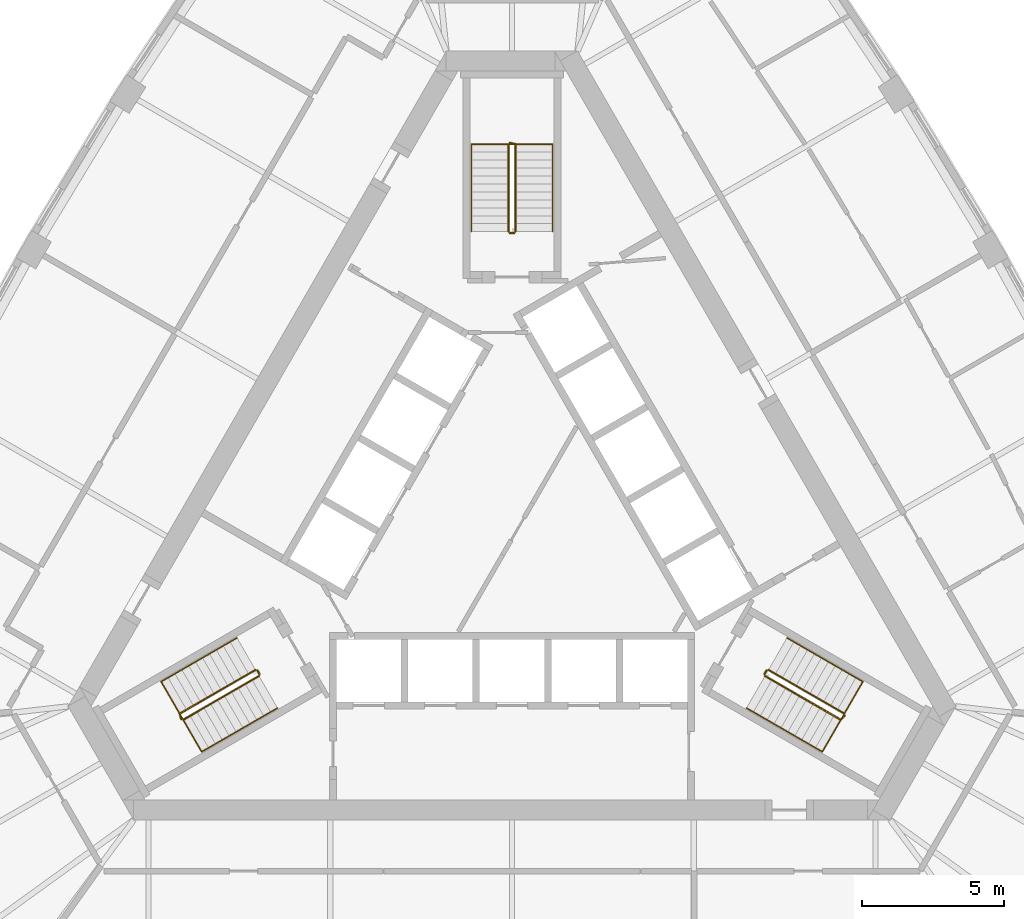
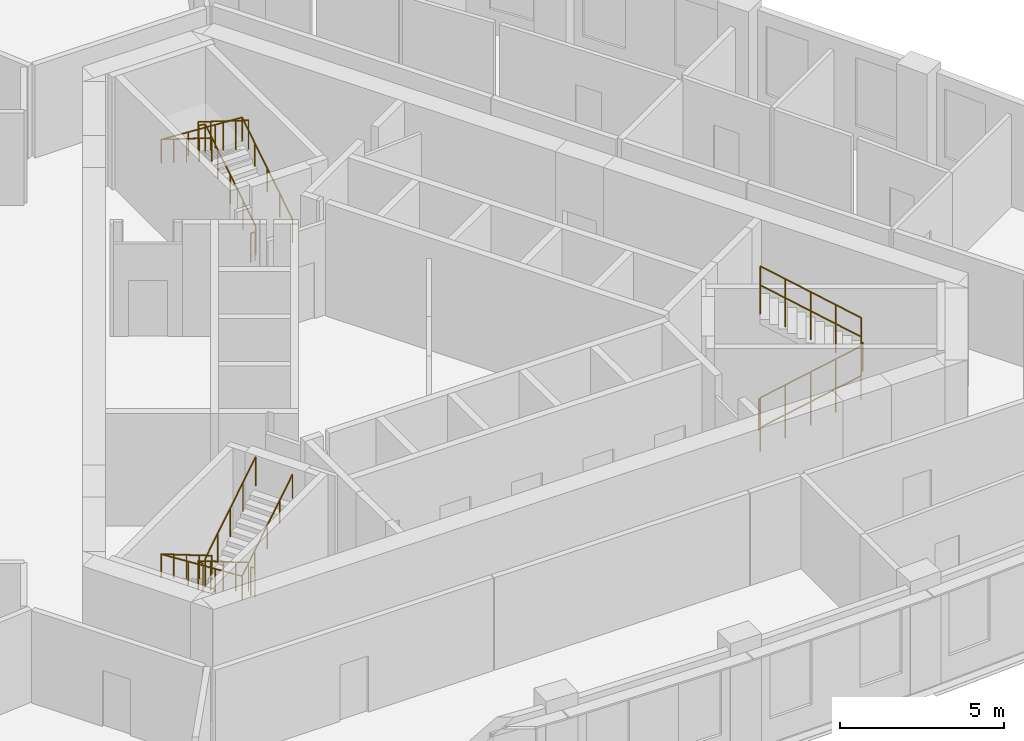
# One storey, part 10 of 10: 12 railings.
"""IFC4 building model written with IfcOpenShell, lengths in metres."""

from ifc_helpers import new_model, si_unit, direction, frame, origin, origin_2d, place, context, subcontext, project, spatial, circle, extrude, material, type_object, element, save


model = new_model("IFC4")

# Units and contexts
model_context = context("Model", 3, precision=1e-05, world=origin(), true_north=direction((0.0, 1.0)))
body_context = subcontext(model_context, "Body", "Model", "MODEL_VIEW")
ifc_project = project(units=[si_unit("LENGTHUNIT", "METRE"), si_unit("AREAUNIT", "SQUARE_METRE"), si_unit("VOLUMEUNIT", "CUBIC_METRE"), si_unit("PLANEANGLEUNIT", "RADIAN"), si_unit("MASSUNIT", "GRAM", prefix="KILO")], contexts=[model_context])

# Site, building, storey
site_placement = place(None, origin())
site = spatial("IfcSite", under=ifc_project, at=site_placement, CompositionType="ELEMENT")
building_placement = place(site_placement, origin())
building = spatial("IfcBuilding", under=site, at=building_placement, Name="Mestral Congress Tower", CompositionType="ELEMENT")
storey_placement = place(building_placement, frame((0.0, 0.0, 231.0)))
storey = spatial("IfcBuildingStorey", under=building, at=storey_placement, Name="L54", CompositionType="ELEMENT", Elevation=231.0)

# Railings
ifc_material_1 = material(Name="Steel balustrade", Category="steel")
railing_type_1 = type_object("IfcRailingType", Name="Stair guard 1100", PredefinedType="GUARDRAIL", material=ifc_material_1)
railing_1_placement = place(storey_placement, frame((8.90087890625, -5.283203125, 0.175048828125)))
element("IfcRailing", 1, at=railing_1_placement, inside=storey, type_object=railing_type_1, Name="L54 ST1 stair guard 1", PredefinedType="GUARDRAIL", context=body_context, shape_type="SweptSolid", body=[
    extrude(circle(Radius=0.02392578125, at=origin_2d()), frame((0.0, 0.0, 1.076171875), z_axis=(0.734364028329, -0.424015404183, 0.530019255228), x_axis=(0.500026652407, 0.866010015463, 0.0)), (0.0, 0.0, 1.0), 3.632080078125),
    extrude(circle(Radius=0.02392578125, at=origin_2d()), frame((2.667236328125, -1.5400390625, 3.0009765625), z_axis=(0.695164929852, 0.718850276695, 0.0), x_axis=(-0.718850276695, 0.695164929852, 0.0)), (0.0, 0.0, 1.0), 0.2060546875),
    extrude(circle(Radius=0.02099609375, at=origin_2d()), origin(), (0.0, 0.0, 1.0), 1.052001953125),
    extrude(circle(Radius=0.02099609375, at=origin_2d()), frame((0.666748046875, -0.385009765625, 0.481201171875)), (0.0, 0.0, 1.0), 1.052001953125),
    extrude(circle(Radius=0.02099609375, at=origin_2d()), frame((1.33349609375, -0.77001953125, 0.96240234375)), (0.0, 0.0, 1.0), 1.052001953125),
    extrude(circle(Radius=0.02099609375, at=origin_2d()), frame((2.00048828125, -1.155029296875, 1.44384765625)), (0.0, 0.0, 1.0), 1.052001953125),
    extrude(circle(Radius=0.02099609375, at=origin_2d()), frame((2.667236328125, -1.5400390625, 1.925048828125)), (0.0, 0.0, 1.0), 1.052001953125),
    extrude(circle(Radius=0.02099609375, at=origin_2d()), frame((2.810546875, -1.391845703125, 1.925048828125)), (0.0, 0.0, 1.0), 1.052001953125),
])
railing_2_placement = place(storey_placement, frame((11.693115234375, -6.606689453125, 2.27490234375)))
element("IfcRailing", 2, at=railing_2_placement, inside=storey, type_object=railing_type_1, Name="L54 ST1 stair guard 2", PredefinedType="GUARDRAIL", context=body_context, shape_type="SweptSolid", body=[
    extrude(circle(Radius=0.02392578125, at=origin_2d()), frame((0.0, 0.0, 1.076171875), z_axis=(-0.734364028329, 0.424015404183, 0.530019255228), x_axis=(-0.500026652407, -0.866010015463, 0.0)), (0.0, 0.0, 1.0), 3.632080078125),
    extrude(circle(Radius=0.02099609375, at=origin_2d()), origin(), (0.0, 0.0, 1.0), 1.052001953125),
    extrude(circle(Radius=0.02099609375, at=origin_2d()), frame((-0.666748046875, 0.385009765625, 0.481201171875)), (0.0, 0.0, 1.0), 1.052001953125),
    extrude(circle(Radius=0.02099609375, at=origin_2d()), frame((-1.33349609375, 0.77001953125, 0.96240234375)), (0.0, 0.0, 1.0), 1.052001953125),
    extrude(circle(Radius=0.02099609375, at=origin_2d()), frame((-2.00048828125, 1.155029296875, 1.44384765625)), (0.0, 0.0, 1.0), 1.052001953125),
    extrude(circle(Radius=0.02099609375, at=origin_2d()), frame((-2.667236328125, 1.5400390625, 1.925048828125)), (0.0, 0.0, 1.0), 1.052001953125),
])
railing_3_placement = place(storey_placement, frame((8.882568359375, -5.21484375, 0.0)))
element("IfcRailing", 3, at=railing_3_placement, inside=storey, type_object=railing_type_1, Name="L54 ST1 stair guard 3", PredefinedType="GUARDRAIL", context=body_context, shape_type="SweptSolid", body=[
    extrude(circle(Radius=0.02392578125, at=origin_2d()), frame((0.0, 0.0, 1.076171875), z_axis=(0.499816412211, 0.866131372301, 0.0), x_axis=(-0.866131372301, 0.499816412211, 0.0)), (0.0, 0.0, 1.0), 0.14990234375),
    extrude(circle(Radius=0.02099609375, at=origin_2d()), origin(), (0.0, 0.0, 1.0), 1.052001953125),
    extrude(circle(Radius=0.02099609375, at=origin_2d()), frame((0.074951171875, 0.1298828125, 0.0)), (0.0, 0.0, 1.0), 1.052001953125),
])
railing_4_placement = place(storey_placement, frame((0.125, 10.35009765625, 0.175048828125)))
element("IfcRailing", 4, at=railing_4_placement, inside=storey, type_object=railing_type_1, Name="L54 ST2 stair guard 1", PredefinedType="GUARDRAIL", context=body_context, shape_type="SweptSolid", body=[
    extrude(circle(Radius=0.02392578125, at=origin_2d()), frame((0.0, 0.0, 1.076171875), z_axis=(0.0, 0.847979421464, 0.530029150871), x_axis=(-1.0, 0.0, 0.0)), (0.0, 0.0, 1.0), 3.632080078125),
    extrude(circle(Radius=0.02392578125, at=origin_2d()), frame((0.0, 3.079833984375, 3.0009765625), z_axis=(-0.970072785993, 0.242814311512, 0.0), x_axis=(-0.242814311512, -0.970072785993, 0.0)), (0.0, 0.0, 1.0), 0.2060546875),
    extrude(circle(Radius=0.02099609375, at=origin_2d()), origin(), (0.0, 0.0, 1.0), 1.052001953125),
    extrude(circle(Radius=0.02099609375, at=origin_2d()), frame((0.0, 0.77001953125, 0.481201171875)), (0.0, 0.0, 1.0), 1.052001953125),
    extrude(circle(Radius=0.02099609375, at=origin_2d()), frame((0.0, 1.5400390625, 0.96240234375)), (0.0, 0.0, 1.0), 1.052001953125),
    extrude(circle(Radius=0.02099609375, at=origin_2d()), frame((0.0, 2.309814453125, 1.44384765625)), (0.0, 0.0, 1.0), 1.052001953125),
    extrude(circle(Radius=0.02099609375, at=origin_2d()), frame((0.0, 3.079833984375, 1.925048828125)), (0.0, 0.0, 1.0), 1.052001953125),
    extrude(circle(Radius=0.02099609375, at=origin_2d()), frame((-0.199951171875, 3.1298828125, 1.925048828125)), (0.0, 0.0, 1.0), 1.052001953125),
])
railing_5_placement = place(storey_placement, frame((-0.125, 13.429931640625, 2.27490234375)))
element("IfcRailing", 5, at=railing_5_placement, inside=storey, type_object=railing_type_1, Name="L54 ST2 stair guard 2", PredefinedType="GUARDRAIL", context=body_context, shape_type="SweptSolid", body=[
    extrude(circle(Radius=0.02392578125, at=origin_2d()), frame((0.0, 0.0, 1.076171875), z_axis=(0.0, -0.847979421464, 0.530029150871), x_axis=(1.0, 0.0, 0.0)), (0.0, 0.0, 1.0), 3.632080078125),
    extrude(circle(Radius=0.02099609375, at=origin_2d()), origin(), (0.0, 0.0, 1.0), 1.052001953125),
    extrude(circle(Radius=0.02099609375, at=origin_2d()), frame((0.0, -0.77001953125, 0.481201171875)), (0.0, 0.0, 1.0), 1.052001953125),
    extrude(circle(Radius=0.02099609375, at=origin_2d()), frame((0.0, -1.5400390625, 0.96240234375)), (0.0, 0.0, 1.0), 1.052001953125),
    extrude(circle(Radius=0.02099609375, at=origin_2d()), frame((0.0, -2.309814453125, 1.44384765625)), (0.0, 0.0, 1.0), 1.052001953125),
    extrude(circle(Radius=0.02099609375, at=origin_2d()), frame((0.0, -3.079833984375, 1.925048828125)), (0.0, 0.0, 1.0), 1.052001953125),
])
railing_6_placement = place(storey_placement, frame((0.074951171875, 10.300048828125, 0.0)))
element("IfcRailing", 6, at=railing_6_placement, inside=storey, type_object=railing_type_1, Name="L54 ST2 stair guard 3", PredefinedType="GUARDRAIL", context=body_context, shape_type="SweptSolid", body=[
    extrude(circle(Radius=0.02392578125, at=origin_2d()), frame((0.0, 0.0, 1.076171875), z_axis=(-1.0, 0.0, 0.0), x_axis=(0.0, -1.0, 0.0)), (0.0, 0.0, 1.0), 0.14990234375),
    extrude(circle(Radius=0.02099609375, at=origin_2d()), origin(), (0.0, 0.0, 1.0), 1.052001953125),
    extrude(circle(Radius=0.02099609375, at=origin_2d()), frame((-0.14990234375, 0.0, 0.0)), (0.0, 0.0, 1.0), 1.052001953125),
])
railing_7_placement = place(storey_placement, frame((-9.02587890625, -5.066650390625, 0.175048828125)))
element("IfcRailing", 7, at=railing_7_placement, inside=storey, type_object=railing_type_1, Name="L54 ST3 stair guard 1", PredefinedType="GUARDRAIL", context=body_context, shape_type="SweptSolid", body=[
    extrude(circle(Radius=0.02392578125, at=origin_2d()), frame((0.0, 0.0, 1.076171875), z_axis=(-0.734364028329, -0.424015404183, 0.530019255228), x_axis=(0.500026652407, -0.866010015463, 0.0)), (0.0, 0.0, 1.0), 3.632080078125),
    extrude(circle(Radius=0.02392578125, at=origin_2d()), frame((-2.667236328125, -1.5400390625, 3.0009765625), z_axis=(0.274721127897, -0.961523947641, 0.0), x_axis=(0.961523947641, 0.274721127897, 0.0)), (0.0, 0.0, 1.0), 0.2060546875),
    extrude(circle(Radius=0.02099609375, at=origin_2d()), origin(), (0.0, 0.0, 1.0), 1.052001953125),
    extrude(circle(Radius=0.02099609375, at=origin_2d()), frame((-0.666748046875, -0.385009765625, 0.481201171875)), (0.0, 0.0, 1.0), 1.052001953125),
    extrude(circle(Radius=0.02099609375, at=origin_2d()), frame((-1.33349609375, -0.77001953125, 0.96240234375)), (0.0, 0.0, 1.0), 1.052001953125),
    extrude(circle(Radius=0.02099609375, at=origin_2d()), frame((-2.00048828125, -1.155029296875, 1.44384765625)), (0.0, 0.0, 1.0), 1.052001953125),
    extrude(circle(Radius=0.02099609375, at=origin_2d()), frame((-2.667236328125, -1.5400390625, 1.925048828125)), (0.0, 0.0, 1.0), 1.052001953125),
    extrude(circle(Radius=0.02099609375, at=origin_2d()), frame((-2.610595703125, -1.73828125, 1.925048828125)), (0.0, 0.0, 1.0), 1.052001953125),
])
railing_8_placement = place(storey_placement, frame((-11.568115234375, -6.8232421875, 2.27490234375)))
element("IfcRailing", 8, at=railing_8_placement, inside=storey, type_object=railing_type_1, Name="L54 ST3 stair guard 2", PredefinedType="GUARDRAIL", context=body_context, shape_type="SweptSolid", body=[
    extrude(circle(Radius=0.02392578125, at=origin_2d()), frame((0.0, 0.0, 1.076171875), z_axis=(0.734364028329, 0.424015404183, 0.530019255228), x_axis=(-0.500026652407, 0.866010015463, 0.0)), (0.0, 0.0, 1.0), 3.632080078125),
    extrude(circle(Radius=0.02099609375, at=origin_2d()), origin(), (0.0, 0.0, 1.0), 1.052001953125),
    extrude(circle(Radius=0.02099609375, at=origin_2d()), frame((0.666748046875, 0.385009765625, 0.481201171875)), (0.0, 0.0, 1.0), 1.052001953125),
    extrude(circle(Radius=0.02099609375, at=origin_2d()), frame((1.33349609375, 0.77001953125, 0.96240234375)), (0.0, 0.0, 1.0), 1.052001953125),
    extrude(circle(Radius=0.02099609375, at=origin_2d()), frame((2.00048828125, 1.155029296875, 1.44384765625)), (0.0, 0.0, 1.0), 1.052001953125),
    extrude(circle(Radius=0.02099609375, at=origin_2d()), frame((2.667236328125, 1.5400390625, 1.925048828125)), (0.0, 0.0, 1.0), 1.052001953125),
])
railing_9_placement = place(storey_placement, frame((-8.95751953125, -5.0849609375, 0.0)))
element("IfcRailing", 9, at=railing_9_placement, inside=storey, type_object=railing_type_1, Name="L54 ST3 stair guard 3", PredefinedType="GUARDRAIL", context=body_context, shape_type="SweptSolid", body=[
    extrude(circle(Radius=0.02392578125, at=origin_2d()), frame((0.0, 0.0, 1.076171875), z_axis=(0.499816412211, -0.866131372301, 0.0), x_axis=(0.866131372301, 0.499816412211, 0.0)), (0.0, 0.0, 1.0), 0.14990234375),
    extrude(circle(Radius=0.02099609375, at=origin_2d()), origin(), (0.0, 0.0, 1.0), 1.052001953125),
    extrude(circle(Radius=0.02099609375, at=origin_2d()), frame((0.074951171875, -0.1298828125, 0.0)), (0.0, 0.0, 1.0), 1.052001953125),
])
ifc_material_2 = material(Name="Steel handrail", Category="steel")
railing_type_2 = type_object("IfcRailingType", Name="Stair handrail 900", PredefinedType="HANDRAIL", material=ifc_material_2)
railing_10_placement = place(storey_placement, frame((8.2509765625, -6.4091796875, 0.175048828125)))
element("IfcRailing", 10, at=railing_10_placement, inside=storey, type_object=railing_type_2, Name="L54 ST1 stair handrail 1", PredefinedType="HANDRAIL", context=body_context, shape_type="SweptSolid", body=[
    extrude(circle(Radius=0.02392578125, at=origin_2d()), frame((0.0, 0.0, 0.8759765625), z_axis=(0.734384958227, -0.423960268333, 0.530034361155), x_axis=(0.499967199496, 0.866044340336, 0.0)), (0.0, 0.0, 1.0), 3.6318359375),
    extrude(circle(Radius=0.02392578125, at=origin_2d()), frame((2.667236328125, -1.539794921875, 2.80078125), z_axis=(0.499098383545, 0.864379914213, 0.061222279016), x_axis=(-0.866004402611, 0.500036373335, 0.0)), (0.0, 0.0, 1.0), 2.855224609375),
    extrude(circle(Radius=0.02392578125, at=origin_2d()), frame((4.09228515625, 0.92822265625, 2.9755859375), z_axis=(-0.734394994316, 0.423994474112, 0.52999309264), x_axis=(-0.499992328818, -0.866029832698, 0.0)), (0.0, 0.0, 1.0), 3.63232421875),
    extrude(circle(Radius=0.02099609375, at=origin_2d()), origin(), (0.0, 0.0, 1.0), 0.851806640625),
    extrude(circle(Radius=0.02099609375, at=origin_2d()), frame((0.666748046875, -0.385009765625, 0.481201171875)), (0.0, 0.0, 1.0), 0.851806640625),
    extrude(circle(Radius=0.02099609375, at=origin_2d()), frame((1.33349609375, -0.77001953125, 0.96240234375)), (0.0, 0.0, 1.0), 0.851806640625),
    extrude(circle(Radius=0.02099609375, at=origin_2d()), frame((2.00048828125, -1.15478515625, 1.44384765625)), (0.0, 0.0, 1.0), 0.851806640625),
    extrude(circle(Radius=0.02099609375, at=origin_2d()), frame((2.667236328125, -1.539794921875, 1.925048828125)), (0.0, 0.0, 1.0), 0.851806640625),
    extrude(circle(Radius=0.02099609375, at=origin_2d()), frame((3.142333984375, -0.717041015625, 1.9833984375)), (0.0, 0.0, 1.0), 0.851806640625),
    extrude(circle(Radius=0.02099609375, at=origin_2d()), frame((3.6171875, 0.10546875, 2.04150390625)), (0.0, 0.0, 1.0), 0.851806640625),
    extrude(circle(Radius=0.02099609375, at=origin_2d()), frame((4.09228515625, 0.92822265625, 2.099853515625)), (0.0, 0.0, 1.0), 0.851806640625),
    extrude(circle(Radius=0.02099609375, at=origin_2d()), frame((3.42529296875, 1.313232421875, 2.5810546875)), (0.0, 0.0, 1.0), 0.851806640625),
    extrude(circle(Radius=0.02099609375, at=origin_2d()), frame((2.758544921875, 1.6982421875, 3.0625)), (0.0, 0.0, 1.0), 0.851806640625),
    extrude(circle(Radius=0.02099609375, at=origin_2d()), frame((2.091796875, 2.083251953125, 3.543701171875)), (0.0, 0.0, 1.0), 0.851806640625),
    extrude(circle(Radius=0.02099609375, at=origin_2d()), frame((1.4248046875, 2.46826171875, 4.02490234375)), (0.0, 0.0, 1.0), 0.851806640625),
])
railing_11_placement = place(storey_placement, frame((1.425048828125, 10.35009765625, 0.175048828125)))
element("IfcRailing", 11, at=railing_11_placement, inside=storey, type_object=railing_type_2, Name="L54 ST2 stair handrail 1", PredefinedType="HANDRAIL", context=body_context, shape_type="SweptSolid", body=[
    extrude(circle(Radius=0.02392578125, at=origin_2d()), frame((0.0, 0.0, 0.8759765625), z_axis=(0.0, 0.847979421464, 0.530029150871), x_axis=(-1.0, 0.0, 0.0)), (0.0, 0.0, 1.0), 3.632080078125),
    extrude(circle(Radius=0.02392578125, at=origin_2d()), frame((0.0, 3.079833984375, 2.80078125), z_axis=(-0.998124429008, 0.0, 0.061217842314), x_axis=(0.0, -1.0, 0.0)), (0.0, 0.0, 1.0), 2.85546875),
    extrude(circle(Radius=0.02392578125, at=origin_2d()), frame((-2.85009765625, 3.079833984375, 2.9755859375), z_axis=(0.0, -0.847979421464, 0.530029150871), x_axis=(1.0, 0.0, 0.0)), (0.0, 0.0, 1.0), 3.632080078125),
    extrude(circle(Radius=0.02099609375, at=origin_2d()), origin(), (0.0, 0.0, 1.0), 0.851806640625),
    extrude(circle(Radius=0.02099609375, at=origin_2d()), frame((0.0, 0.77001953125, 0.481201171875)), (0.0, 0.0, 1.0), 0.851806640625),
    extrude(circle(Radius=0.02099609375, at=origin_2d()), frame((0.0, 1.5400390625, 0.96240234375)), (0.0, 0.0, 1.0), 0.851806640625),
    extrude(circle(Radius=0.02099609375, at=origin_2d()), frame((0.0, 2.309814453125, 1.44384765625)), (0.0, 0.0, 1.0), 0.851806640625),
    extrude(circle(Radius=0.02099609375, at=origin_2d()), frame((0.0, 3.079833984375, 1.925048828125)), (0.0, 0.0, 1.0), 0.851806640625),
    extrude(circle(Radius=0.02099609375, at=origin_2d()), frame((-0.949951171875, 3.079833984375, 1.9833984375)), (0.0, 0.0, 1.0), 0.851806640625),
    extrude(circle(Radius=0.02099609375, at=origin_2d()), frame((-1.900146484375, 3.079833984375, 2.04150390625)), (0.0, 0.0, 1.0), 0.851806640625),
    extrude(circle(Radius=0.02099609375, at=origin_2d()), frame((-2.85009765625, 3.079833984375, 2.099853515625)), (0.0, 0.0, 1.0), 0.851806640625),
    extrude(circle(Radius=0.02099609375, at=origin_2d()), frame((-2.85009765625, 2.309814453125, 2.5810546875)), (0.0, 0.0, 1.0), 0.851806640625),
    extrude(circle(Radius=0.02099609375, at=origin_2d()), frame((-2.85009765625, 1.5400390625, 3.0625)), (0.0, 0.0, 1.0), 0.851806640625),
    extrude(circle(Radius=0.02099609375, at=origin_2d()), frame((-2.85009765625, 0.77001953125, 3.543701171875)), (0.0, 0.0, 1.0), 0.851806640625),
    extrude(circle(Radius=0.02099609375, at=origin_2d()), frame((-2.85009765625, 0.0, 4.02490234375)), (0.0, 0.0, 1.0), 0.851806640625),
])
railing_12_placement = place(storey_placement, frame((-9.67578125, -3.94091796875, 0.175048828125)))
element("IfcRailing", 12, at=railing_12_placement, inside=storey, type_object=railing_type_2, Name="L54 ST3 stair handrail 1", PredefinedType="HANDRAIL", context=body_context, shape_type="SweptSolid", body=[
    extrude(circle(Radius=0.02392578125, at=origin_2d()), frame((0.0, 0.0, 0.8759765625), z_axis=(-0.734394994316, -0.423994474112, 0.52999309264), x_axis=(0.499992328818, -0.866029832698, 0.0)), (0.0, 0.0, 1.0), 3.63232421875),
    extrude(circle(Radius=0.02392578125, at=origin_2d()), frame((-2.66748046875, -1.5400390625, 2.80078125), z_axis=(0.499098383545, -0.864379914213, 0.061222279016), x_axis=(0.866004402611, 0.500036373335, 0.0)), (0.0, 0.0, 1.0), 2.855224609375),
    extrude(circle(Radius=0.02392578125, at=origin_2d()), frame((-1.242431640625, -4.008056640625, 2.9755859375), z_axis=(0.734384958227, 0.423960268333, 0.530034361155), x_axis=(-0.499967199496, 0.866044340336, 0.0)), (0.0, 0.0, 1.0), 3.6318359375),
    extrude(circle(Radius=0.02099609375, at=origin_2d()), origin(), (0.0, 0.0, 1.0), 0.851806640625),
    extrude(circle(Radius=0.02099609375, at=origin_2d()), frame((-0.6669921875, -0.385009765625, 0.481201171875)), (0.0, 0.0, 1.0), 0.851806640625),
    extrude(circle(Radius=0.02099609375, at=origin_2d()), frame((-1.333740234375, -0.77001953125, 0.96240234375)), (0.0, 0.0, 1.0), 0.851806640625),
    extrude(circle(Radius=0.02099609375, at=origin_2d()), frame((-2.00048828125, -1.155029296875, 1.44384765625)), (0.0, 0.0, 1.0), 0.851806640625),
    extrude(circle(Radius=0.02099609375, at=origin_2d()), frame((-2.66748046875, -1.5400390625, 1.925048828125)), (0.0, 0.0, 1.0), 0.851806640625),
    extrude(circle(Radius=0.02099609375, at=origin_2d()), frame((-2.1923828125, -2.36279296875, 1.9833984375)), (0.0, 0.0, 1.0), 0.851806640625),
    extrude(circle(Radius=0.02099609375, at=origin_2d()), frame((-1.717529296875, -3.185302734375, 2.04150390625)), (0.0, 0.0, 1.0), 0.851806640625),
    extrude(circle(Radius=0.02099609375, at=origin_2d()), frame((-1.242431640625, -4.008056640625, 2.099853515625)), (0.0, 0.0, 1.0), 0.851806640625),
    extrude(circle(Radius=0.02099609375, at=origin_2d()), frame((-0.57568359375, -3.623046875, 2.5810546875)), (0.0, 0.0, 1.0), 0.851806640625),
    extrude(circle(Radius=0.02099609375, at=origin_2d()), frame((0.09130859375, -3.23828125, 3.0625)), (0.0, 0.0, 1.0), 0.851806640625),
    extrude(circle(Radius=0.02099609375, at=origin_2d()), frame((0.758056640625, -2.853271484375, 3.543701171875)), (0.0, 0.0, 1.0), 0.851806640625),
    extrude(circle(Radius=0.02099609375, at=origin_2d()), frame((1.4248046875, -2.46826171875, 4.02490234375)), (0.0, 0.0, 1.0), 0.851806640625),
])

save(model, "model.ifc")
